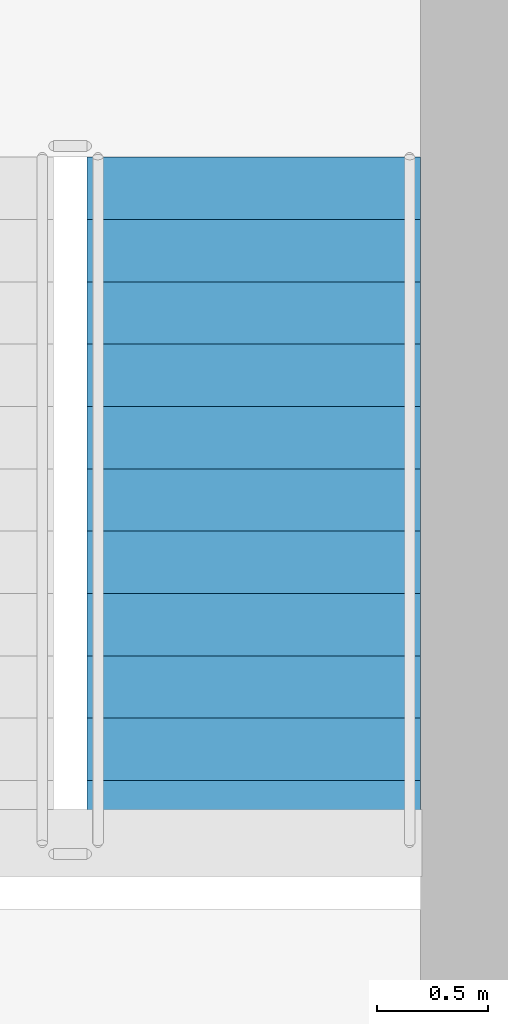
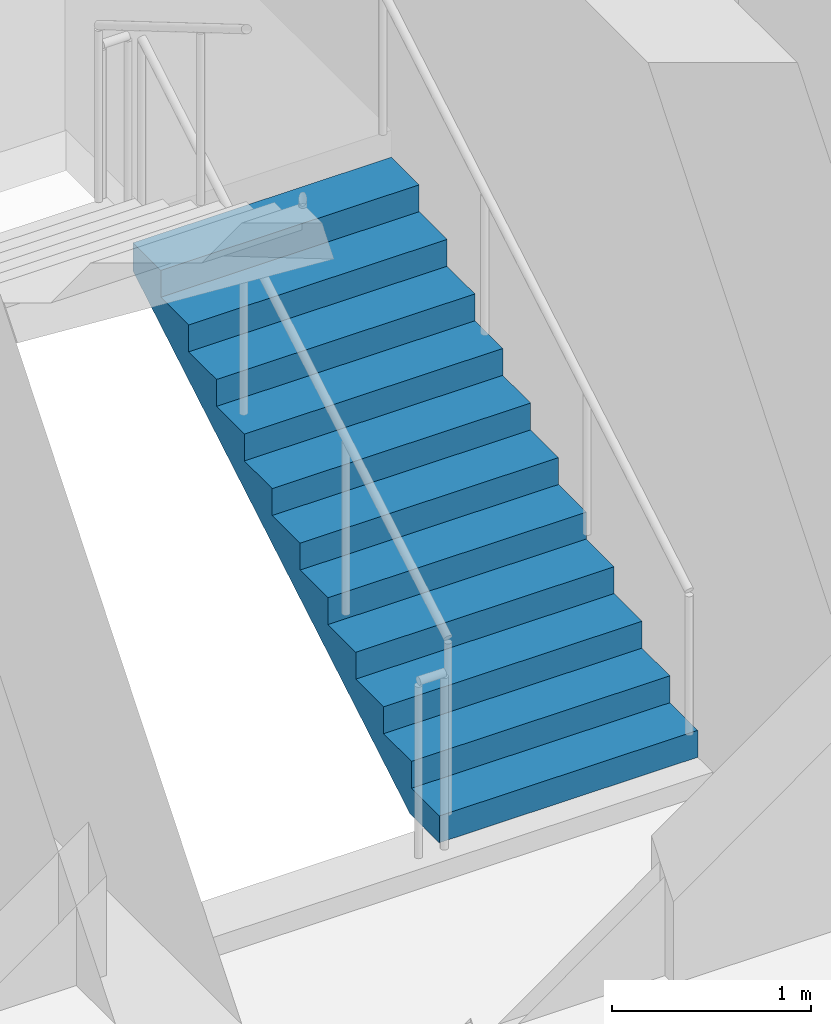
# One storey, part 8 of 12: 1 stair flight, 1 element without a shape of its own.
"""IFC4 building model written with IfcOpenShell, lengths in metres."""

import ifcopenshell
import ifcopenshell.guid

model = None  # the IFC model being written
_history = None  # IfcOwnerHistory: only IFC2X3 demands one
_inside = {}  # id of a spatial element -> (the spatial element, [elements in it])
_under = {}  # id of a project, library or spatial element -> (it, [spatial elements below it])
_declared = {}  # id of a project -> (the project, [libraries it declares])
_typed = {}  # id of a type object -> (the type object, [elements of that type])
_made_of = {}  # id of a material, layer set ... -> (it, [elements and type objects made of it])


def new_model(schema):
    """Start an empty IFC model of exactly this schema.

    Asked for "IFC4X3", IfcOpenShell would pick the latest addendum, in which some entities
    have other attributes; the version numbers below select the first issue.
    IFC2X3 requires an IfcOwnerHistory on every rooted entity: one is made here for all.
    """
    global model, _history
    if schema == "IFC4X3":
        model = ifcopenshell.file(schema_version=(4, 3, 0, 0))
    else:
        model = ifcopenshell.file(schema=schema)
    _inside.clear()
    _under.clear()
    _declared.clear()
    _typed.clear()
    _made_of.clear()
    _history = None
    if model.schema == "IFC2X3":
        org = make("IfcOrganization", Name="unknown")
        user = make(
            "IfcPersonAndOrganization",
            ThePerson=make("IfcPerson", FamilyName="unknown"),
            TheOrganization=org,
        )
        app = make(
            "IfcApplication",
            ApplicationDeveloper=org,
            Version="unknown",
            ApplicationFullName="unknown",
            ApplicationIdentifier="unknown",
        )
        _history = make(
            "IfcOwnerHistory",
            OwningUser=user,
            OwningApplication=app,
            ChangeAction="ADDED",
            CreationDate=0,
        )
    return model


def make(cls, **values):
    """One entity of the class cls with the attributes given. An attribute that is None is left unset."""
    return model.create_entity(
        cls, **{name: value for name, value in values.items() if value is not None}
    )


def rooted(cls, **values):
    """An entity with a GlobalId (a new one), such as an element, a storey or a relation."""
    return make(cls, GlobalId=ifcopenshell.guid.new(), OwnerHistory=_history, **values)


def si_unit(unit_type, name, prefix=None):
    """IfcSIUnit, for example si_unit("LENGTHUNIT", "METRE", prefix="MILLI")."""
    return make("IfcSIUnit", UnitType=unit_type, Prefix=prefix, Name=name)


def assignment(units):
    """IfcUnitAssignment: the units of a project."""
    return None if units is None else make("IfcUnitAssignment", Units=units)


def point(xyz):
    """IfcCartesianPoint."""
    return None if xyz is None else make("IfcCartesianPoint", Coordinates=xyz)


def direction(xyz):
    """IfcDirection."""
    return None if xyz is None else make("IfcDirection", DirectionRatios=xyz)


def frame(location, z_axis=None, x_axis=None):
    """IfcAxis2Placement3D, a coordinate frame: its origin and axes. An axis left out is left unset."""
    return make(
        "IfcAxis2Placement3D",
        Location=point(location),
        Axis=direction(z_axis),
        RefDirection=direction(x_axis),
    )


def origin():
    """The frame at (0, 0, 0) with its axes left unset."""
    return frame((0.0, 0.0, 0.0))


def place(relative_to, where):
    """IfcLocalPlacement: puts the frame where relative to a parent placement (None: the world)."""
    return make(
        "IfcLocalPlacement", PlacementRelTo=relative_to, RelativePlacement=where
    )


def context(
    kind, dimensions, precision=None, world=None, true_north=None, identifier=None
):
    """IfcGeometricRepresentationContext, for example the 3D "Model" context."""
    return make(
        "IfcGeometricRepresentationContext",
        ContextIdentifier=identifier,
        ContextType=kind,
        CoordinateSpaceDimension=dimensions,
        Precision=precision,
        WorldCoordinateSystem=world,
        TrueNorth=true_north,
    )


def subcontext(parent, identifier, kind, view, scale=None):
    """IfcGeometricRepresentationSubContext, for example "Body" below "Model"."""
    return make(
        "IfcGeometricRepresentationSubContext",
        ContextIdentifier=identifier,
        ContextType=kind,
        ParentContext=parent,
        TargetScale=scale,
        TargetView=view,
    )


def project(units=None, contexts=None):
    """IfcProject with its units and contexts."""
    return rooted(
        "IfcProject",
        Name="project",
        RepresentationContexts=contexts,
        UnitsInContext=assignment(units),
    )


def spatial(cls, under=None, at=None, **own):
    """A site, building, storey or space (cls), placed at a placement, below another one or the project."""
    s = rooted(cls, ObjectPlacement=at, **own)
    if under is not None:
        _under.setdefault(under.id(), (under, []))[1].append(s)
    return s


def polyline(points):
    """IfcPolyline through the points."""
    return make("IfcPolyline", Points=[point(p) for p in points])


def outline(outer, holes=None, kind="AREA"):
    """IfcArbitraryClosedProfileDef: a profile drawn as a closed curve; with holes, ...WithVoids."""
    if holes is None:
        return make("IfcArbitraryClosedProfileDef", ProfileType=kind, OuterCurve=outer)
    return make(
        "IfcArbitraryProfileDefWithVoids",
        ProfileType=kind,
        OuterCurve=outer,
        InnerCurves=holes,
    )


def extrude(swept, where, along, depth):
    """IfcExtrudedAreaSolid: the profile swept, set in the frame where, extruded along a direction by depth."""
    return make(
        "IfcExtrudedAreaSolid",
        SweptArea=swept,
        Position=where,
        ExtrudedDirection=direction(along),
        Depth=depth,
    )


def shape(context_of_items, identifier, shape_type, items):
    """IfcShapeRepresentation: the items that make up one representation, for example the "Body"."""
    return make(
        "IfcShapeRepresentation",
        ContextOfItems=context_of_items,
        RepresentationIdentifier=identifier,
        RepresentationType=shape_type,
        Items=items,
    )


def material(Name=None, Category=None):
    """IfcMaterial."""
    return make("IfcMaterial", Name=Name, Category=Category)


def made_of(thing, what):
    """Note that an element or type object is made of a material, layer set ...; save() writes the relation."""
    if what is not None:
        _made_of.setdefault(what.id(), (what, []))[1].append(thing)
    return thing


def type_object(cls, material=None, **own):
    """A type object (cls), such as IfcWallType, which elements share."""
    return made_of(rooted(cls, **own), material)


def element(
    cls,
    number,
    at=None,
    inside=None,
    cuts=None,
    type_object=None,
    material=None,
    context=None,
    identifier="Body",
    shape_type=None,
    held_by="IfcProductDefinitionShape",
    body=None,
    shapes=None,
    **own,
):
    """One element of the class cls, such as IfcWall. Its Tag is "e" and its number.

    at: its placement. inside: the storey or other place that contains it. cuts: it is an
    opening in that element (IfcRelVoidsElement). A single representation is given by context,
    identifier, shape_type and body (its items); several are given by shapes. held_by: the class
    of the entity that holds the representations. save() writes the other relations.
    """
    e = rooted(cls, Tag="e%d" % number, ObjectPlacement=at, **own)
    if body is not None:
        shapes = [shape(context, identifier, shape_type, body)]
    if shapes is not None:
        e.Representation = make(held_by, Representations=shapes)
    if inside is not None:
        _inside.setdefault(inside.id(), (inside, []))[1].append(e)
    if cuts is not None:
        rooted(
            "IfcRelVoidsElement", RelatingBuildingElement=cuts, RelatedOpeningElement=e
        )
    if type_object is not None:
        _typed.setdefault(type_object.id(), (type_object, []))[1].append(e)
    return made_of(e, material)


def aggregate(whole, parts):
    """IfcRelAggregates: a whole, such as a stair, and the parts it consists of."""
    return rooted("IfcRelAggregates", RelatingObject=whole, RelatedObjects=parts)


def save(model, path):
    """Write the relations noted so far, then the file.

    IfcRelAggregates (storeys below a building ...), IfcRelContainedInSpatialStructure (elements
    in a storey), IfcRelDefinesByType, IfcRelAssociatesMaterial and IfcRelDeclares: one each for
    every whole, place, type object, material and project.
    """
    for whole, parts in _under.values():
        aggregate(whole, parts)
    for where, things in _inside.values():
        rooted(
            "IfcRelContainedInSpatialStructure",
            RelatedElements=things,
            RelatingStructure=where,
        )
    for kind, things in _typed.values():
        rooted("IfcRelDefinesByType", RelatedObjects=things, RelatingType=kind)
    for what, things in _made_of.values():
        rooted("IfcRelAssociatesMaterial", RelatedObjects=things, RelatingMaterial=what)
    for by, libraries in _declared.values():
        rooted("IfcRelDeclares", RelatingContext=by, RelatedDefinitions=libraries)
    model.write(path)


model = new_model("IFC4")

# Units and contexts
model_context = context("Model", 3, precision=1e-05, world=origin(), true_north=direction((0.0, 1.0)))
body_context = subcontext(model_context, "Body", "Model", "MODEL_VIEW")
ifc_project = project(units=[si_unit("LENGTHUNIT", "METRE"), si_unit("AREAUNIT", "SQUARE_METRE"), si_unit("VOLUMEUNIT", "CUBIC_METRE"), si_unit("PLANEANGLEUNIT", "RADIAN"), si_unit("MASSUNIT", "GRAM", prefix="KILO")], contexts=[model_context])

# Site, building, storey
site_placement = place(None, origin())
site = spatial("IfcSite", under=ifc_project, at=site_placement, CompositionType="ELEMENT")
building_placement = place(site_placement, origin())
building = spatial("IfcBuilding", under=site, at=building_placement, Name="Kefirva Bronze Tower", CompositionType="ELEMENT")
storey_placement = place(building_placement, frame((0.0, 0.0, 235.6201171875)))
storey = spatial("IfcBuildingStorey", under=building, at=storey_placement, Name="L57", CompositionType="ELEMENT", Elevation=235.6201171875)

# Stair, stair flight
ifc_material = material(Name="Concrete C40/50", Category="concrete")
stair_type = type_object("IfcStairType", Name="RC Dogleg Protected Stair 24R", PredefinedType="HALF_TURN_STAIR", material=ifc_material)
stair_placement = place(storey_placement, origin())
stair = element("IfcStair", 1, at=stair_placement, inside=storey, type_object=stair_type, Name="L57 Protected Exit Stair 2", PredefinedType="HALF_TURN_STAIR")
stair_flight_type = type_object("IfcStairFlightType", Name="RC Straight Stair Flight 24R", PredefinedType="STRAIGHT", material=ifc_material)
stair_flight_placement = place(storey_placement, frame((22.300048828125, 38.699951171875, 0.0), z_axis=(0.0, 0.0, 1.0), x_axis=(0.0, 1.0, 0.0)))
stair_flight = element("IfcStairFlight", 2, at=stair_flight_placement, type_object=stair_flight_type, Name="ST-2 flight 1", NumberOfRisers=12, NumberOfTreads=11, PredefinedType="STRAIGHT", RiserHeight=0.165, TreadLength=0.28, context=body_context, shape_type="SweptSolid", body=[
    extrude(outline(polyline([(0.0, 0.0), (0.0, 0.1650390625), (0.280029296875, 0.1650390625), (0.280029296875, 0.330078125), (0.56005859375, 0.330078125), (0.56005859375, 0.4951171875), (0.840087890625, 0.4951171875), (0.840087890625, 0.659912109375), (1.1201171875, 0.659912109375), (1.1201171875, 0.824951171875), (1.39990234375, 0.824951171875), (1.39990234375, 0.989990234375), (1.679931640625, 0.989990234375), (1.679931640625, 1.155029296875), (1.9599609375, 1.155029296875), (1.9599609375, 1.320068359375), (2.239990234375, 1.320068359375), (2.239990234375, 1.485107421875), (2.52001953125, 1.485107421875), (2.52001953125, 1.64990234375), (2.800048828125, 1.64990234375), (2.800048828125, 1.81494140625), (3.080078125, 1.81494140625), (3.080078125, 1.97998046875), (3.080078125, 1.64111328125), (0.295166015625, 0.0), (0.0, 0.0)])), frame((0.0, 0.75, 0.0), z_axis=(0.0, -1.0, 0.0), x_axis=(1.0, 0.0, 0.0)), (0.0, 0.0, 1.0), 1.5),
])
aggregate(stair, [stair_flight])

save(model, "model.ifc")
